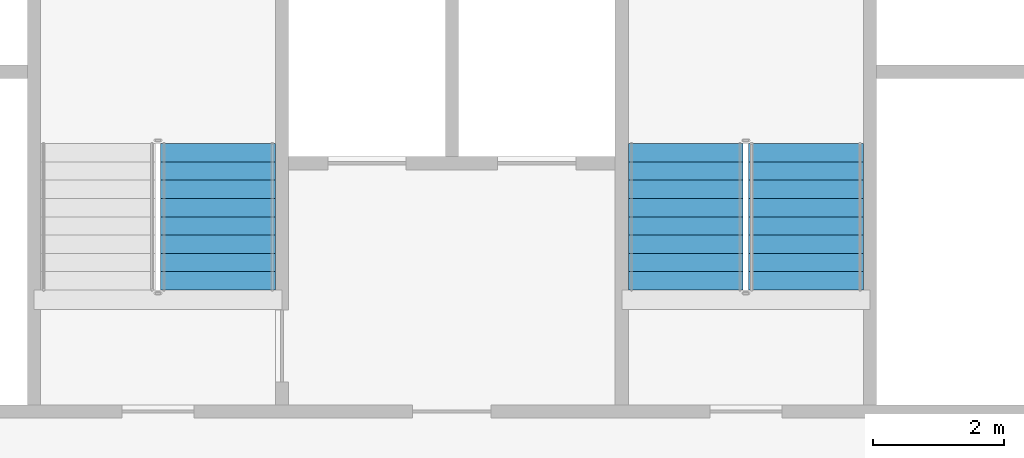
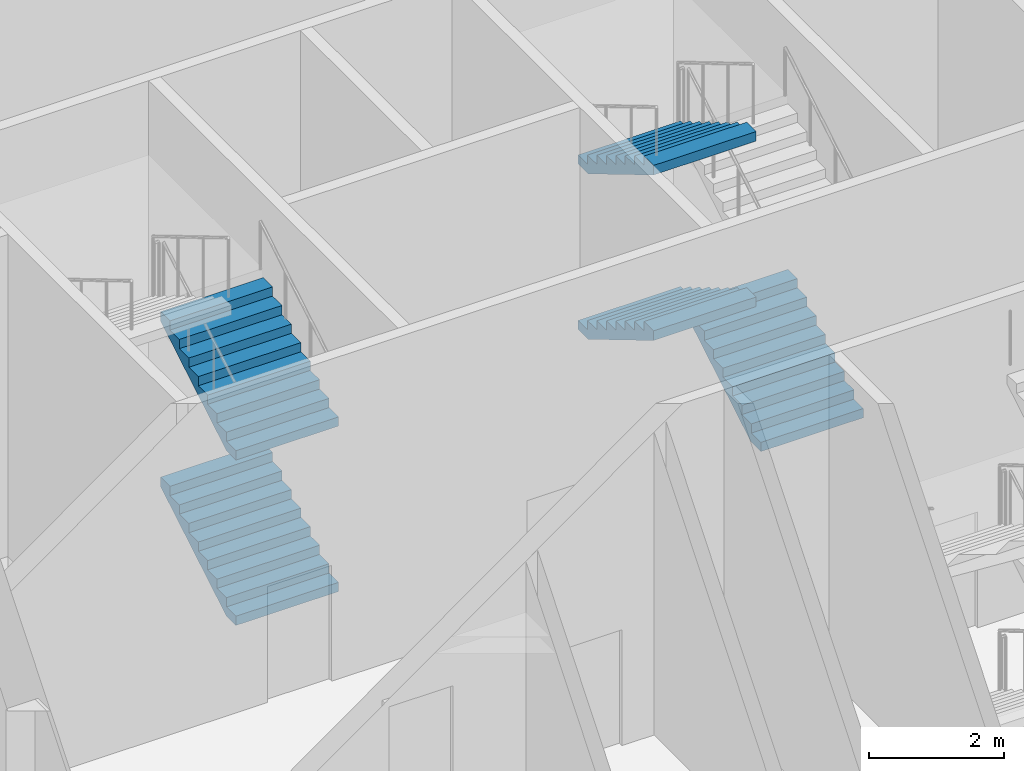
# One storey, part 26 of 33: 5 stair flights, 2 elements without a shape of their own.
"""IFC4 building model written with IfcOpenShell, lengths in metres."""

import ifcopenshell
import ifcopenshell.guid

model = None  # the IFC model being written
_history = None  # IfcOwnerHistory: only IFC2X3 demands one
_inside = {}  # id of a spatial element -> (the spatial element, [elements in it])
_under = {}  # id of a project, library or spatial element -> (it, [spatial elements below it])
_declared = {}  # id of a project -> (the project, [libraries it declares])
_typed = {}  # id of a type object -> (the type object, [elements of that type])
_made_of = {}  # id of a material, layer set ... -> (it, [elements and type objects made of it])


def new_model(schema):
    """Start an empty IFC model of exactly this schema.

    Asked for "IFC4X3", IfcOpenShell would pick the latest addendum, in which some entities
    have other attributes; the version numbers below select the first issue.
    IFC2X3 requires an IfcOwnerHistory on every rooted entity: one is made here for all.
    """
    global model, _history
    if schema == "IFC4X3":
        model = ifcopenshell.file(schema_version=(4, 3, 0, 0))
    else:
        model = ifcopenshell.file(schema=schema)
    _inside.clear()
    _under.clear()
    _declared.clear()
    _typed.clear()
    _made_of.clear()
    _history = None
    if model.schema == "IFC2X3":
        org = make("IfcOrganization", Name="unknown")
        user = make(
            "IfcPersonAndOrganization",
            ThePerson=make("IfcPerson", FamilyName="unknown"),
            TheOrganization=org,
        )
        app = make(
            "IfcApplication",
            ApplicationDeveloper=org,
            Version="unknown",
            ApplicationFullName="unknown",
            ApplicationIdentifier="unknown",
        )
        _history = make(
            "IfcOwnerHistory",
            OwningUser=user,
            OwningApplication=app,
            ChangeAction="ADDED",
            CreationDate=0,
        )
    return model


def make(cls, **values):
    """One entity of the class cls with the attributes given. An attribute that is None is left unset."""
    return model.create_entity(
        cls, **{name: value for name, value in values.items() if value is not None}
    )


def rooted(cls, **values):
    """An entity with a GlobalId (a new one), such as an element, a storey or a relation."""
    return make(cls, GlobalId=ifcopenshell.guid.new(), OwnerHistory=_history, **values)


def si_unit(unit_type, name, prefix=None):
    """IfcSIUnit, for example si_unit("LENGTHUNIT", "METRE", prefix="MILLI")."""
    return make("IfcSIUnit", UnitType=unit_type, Prefix=prefix, Name=name)


def assignment(units):
    """IfcUnitAssignment: the units of a project."""
    return None if units is None else make("IfcUnitAssignment", Units=units)


def point(xyz):
    """IfcCartesianPoint."""
    return None if xyz is None else make("IfcCartesianPoint", Coordinates=xyz)


def direction(xyz):
    """IfcDirection."""
    return None if xyz is None else make("IfcDirection", DirectionRatios=xyz)


def frame(location, z_axis=None, x_axis=None):
    """IfcAxis2Placement3D, a coordinate frame: its origin and axes. An axis left out is left unset."""
    return make(
        "IfcAxis2Placement3D",
        Location=point(location),
        Axis=direction(z_axis),
        RefDirection=direction(x_axis),
    )


def origin():
    """The frame at (0, 0, 0) with its axes left unset."""
    return frame((0.0, 0.0, 0.0))


def place(relative_to, where):
    """IfcLocalPlacement: puts the frame where relative to a parent placement (None: the world)."""
    return make(
        "IfcLocalPlacement", PlacementRelTo=relative_to, RelativePlacement=where
    )


def context(
    kind, dimensions, precision=None, world=None, true_north=None, identifier=None
):
    """IfcGeometricRepresentationContext, for example the 3D "Model" context."""
    return make(
        "IfcGeometricRepresentationContext",
        ContextIdentifier=identifier,
        ContextType=kind,
        CoordinateSpaceDimension=dimensions,
        Precision=precision,
        WorldCoordinateSystem=world,
        TrueNorth=true_north,
    )


def subcontext(parent, identifier, kind, view, scale=None):
    """IfcGeometricRepresentationSubContext, for example "Body" below "Model"."""
    return make(
        "IfcGeometricRepresentationSubContext",
        ContextIdentifier=identifier,
        ContextType=kind,
        ParentContext=parent,
        TargetScale=scale,
        TargetView=view,
    )


def project(units=None, contexts=None):
    """IfcProject with its units and contexts."""
    return rooted(
        "IfcProject",
        Name="project",
        RepresentationContexts=contexts,
        UnitsInContext=assignment(units),
    )


def spatial(cls, under=None, at=None, **own):
    """A site, building, storey or space (cls), placed at a placement, below another one or the project."""
    s = rooted(cls, ObjectPlacement=at, **own)
    if under is not None:
        _under.setdefault(under.id(), (under, []))[1].append(s)
    return s


def faces_of(points, faces, orient=None, outer=None):
    """IfcFace entities. A face is a list of loops; a loop is a list of indices into points, from 0.

    orient and outer hold one flag for each loop. By default every Orientation is true, the
    first loop of a face is its IfcFaceOuterBound and the others are IfcFaceBound.
    """
    made = []
    for i, loops in enumerate(faces):
        bounds = []
        for j, loop in enumerate(loops):
            is_outer = j == 0 if outer is None else outer[i][j]
            bounds.append(
                make(
                    "IfcFaceOuterBound" if is_outer else "IfcFaceBound",
                    Bound=make("IfcPolyLoop", Polygon=[points[k] for k in loop]),
                    Orientation=True if orient is None else orient[i][j],
                )
            )
        made.append(make("IfcFace", Bounds=bounds))
    return made


def faceted_brep(points, faces, orient=None, outer=None, voids=None):
    """IfcFacetedBrep: a solid bounded by flat faces; with voids (closed shells), ...WithVoids."""
    shared = [point(p) for p in points]
    hull = make("IfcClosedShell", CfsFaces=faces_of(shared, faces, orient, outer))
    if voids is None:
        return make("IfcFacetedBrep", Outer=hull)
    return make(
        "IfcFacetedBrepWithVoids",
        Outer=hull,
        Voids=[
            make(cls, CfsFaces=faces_of(shared, fs, o, b)) for cls, fs, o, b in voids
        ],
    )


def shape(context_of_items, identifier, shape_type, items):
    """IfcShapeRepresentation: the items that make up one representation, for example the "Body"."""
    return make(
        "IfcShapeRepresentation",
        ContextOfItems=context_of_items,
        RepresentationIdentifier=identifier,
        RepresentationType=shape_type,
        Items=items,
    )


def material(Name=None, Category=None):
    """IfcMaterial."""
    return make("IfcMaterial", Name=Name, Category=Category)


def made_of(thing, what):
    """Note that an element or type object is made of a material, layer set ...; save() writes the relation."""
    if what is not None:
        _made_of.setdefault(what.id(), (what, []))[1].append(thing)
    return thing


def type_object(cls, material=None, **own):
    """A type object (cls), such as IfcWallType, which elements share."""
    return made_of(rooted(cls, **own), material)


def element(
    cls,
    number,
    at=None,
    inside=None,
    cuts=None,
    type_object=None,
    material=None,
    context=None,
    identifier="Body",
    shape_type=None,
    held_by="IfcProductDefinitionShape",
    body=None,
    shapes=None,
    **own,
):
    """One element of the class cls, such as IfcWall. Its Tag is "e" and its number.

    at: its placement. inside: the storey or other place that contains it. cuts: it is an
    opening in that element (IfcRelVoidsElement). A single representation is given by context,
    identifier, shape_type and body (its items); several are given by shapes. held_by: the class
    of the entity that holds the representations. save() writes the other relations.
    """
    e = rooted(cls, Tag="e%d" % number, ObjectPlacement=at, **own)
    if body is not None:
        shapes = [shape(context, identifier, shape_type, body)]
    if shapes is not None:
        e.Representation = make(held_by, Representations=shapes)
    if inside is not None:
        _inside.setdefault(inside.id(), (inside, []))[1].append(e)
    if cuts is not None:
        rooted(
            "IfcRelVoidsElement", RelatingBuildingElement=cuts, RelatedOpeningElement=e
        )
    if type_object is not None:
        _typed.setdefault(type_object.id(), (type_object, []))[1].append(e)
    return made_of(e, material)


def aggregate(whole, parts):
    """IfcRelAggregates: a whole, such as a stair, and the parts it consists of."""
    return rooted("IfcRelAggregates", RelatingObject=whole, RelatedObjects=parts)


def save(model, path):
    """Write the relations noted so far, then the file.

    IfcRelAggregates (storeys below a building ...), IfcRelContainedInSpatialStructure (elements
    in a storey), IfcRelDefinesByType, IfcRelAssociatesMaterial and IfcRelDeclares: one each for
    every whole, place, type object, material and project.
    """
    for whole, parts in _under.values():
        aggregate(whole, parts)
    for where, things in _inside.values():
        rooted(
            "IfcRelContainedInSpatialStructure",
            RelatedElements=things,
            RelatingStructure=where,
        )
    for kind, things in _typed.values():
        rooted("IfcRelDefinesByType", RelatedObjects=things, RelatingType=kind)
    for what, things in _made_of.values():
        rooted("IfcRelAssociatesMaterial", RelatedObjects=things, RelatingMaterial=what)
    for by, libraries in _declared.values():
        rooted("IfcRelDeclares", RelatingContext=by, RelatedDefinitions=libraries)
    model.write(path)


model = new_model("IFC4")

# Units and contexts
model_context = context("Model", 3, precision=1e-05, world=origin(), true_north=direction((0.0, 1.0)))
body_context = subcontext(model_context, "Body", "Model", "MODEL_VIEW")
ifc_project = project(units=[si_unit("LENGTHUNIT", "METRE"), si_unit("AREAUNIT", "SQUARE_METRE"), si_unit("VOLUMEUNIT", "CUBIC_METRE"), si_unit("PLANEANGLEUNIT", "RADIAN"), si_unit("MASSUNIT", "GRAM", prefix="KILO")], contexts=[model_context])

# Site, building, storey
site_placement = place(None, origin())
site = spatial("IfcSite", under=ifc_project, at=site_placement, CompositionType="ELEMENT")
building_placement = place(site_placement, origin())
building = spatial("IfcBuilding", under=site, at=building_placement, Name="Tarsis Ring Headquarters", CompositionType="ELEMENT")
storey_placement = place(building_placement, frame((0.0, 0.0, 302.0)))
storey = spatial("IfcBuildingStorey", under=building, at=storey_placement, Name="L71", CompositionType="ELEMENT", Elevation=302.0)

# Stair, stair flights
ifc_material_1 = material(Name="Core stair 1760")
stair_type = type_object("IfcStairType", Name="Core stair 1760", PredefinedType="HALF_TURN_STAIR", material=ifc_material_1)
stair_1_placement = place(storey_placement, origin())
stair_1 = element("IfcStair", 1, at=stair_1_placement, inside=storey, type_object=stair_type, Name="L71 Firefighting stair", PredefinedType="HALF_TURN_STAIR")
ifc_material_2 = material(Name="Concrete C40/50", Category="concrete")
stair_flight_type = type_object("IfcStairFlightType", Name="Core stair flight 1760", PredefinedType="STRAIGHT", material=ifc_material_2)
stair_flight_1_placement = place(storey_placement, frame((-3.580078125, 3.659912109375, 0.0), z_axis=(0.0, 0.0, 1.0), x_axis=(0.0, 1.0, 0.0)))
stair_flight_1 = element("IfcStairFlight", 2, at=stair_flight_1_placement, type_object=stair_flight_type, Name="Stair ST1 flight 1", NumberOfRisers=9, NumberOfTreads=8, PredefinedType="STRAIGHT", RiserHeight=0.166666667, TreadLength=0.28, context=body_context, shape_type="Brep", body=[
    faceted_brep([(0.0, 0.8798828125, 0.0), (0.0, 0.8798828125, 0.166748046875), (0.280029296875, 0.8798828125, 0.166748046875), (0.280029296875, 0.8798828125, 0.333251953125), (0.56005859375, 0.8798828125, 0.333251953125), (0.56005859375, 0.8798828125, 0.5), (0.840087890625, 0.8798828125, 0.5), (0.840087890625, 0.8798828125, 0.666748046875), (1.1201171875, 0.8798828125, 0.666748046875), (1.1201171875, 0.8798828125, 0.833251953125), (1.39990234375, 0.8798828125, 0.833251953125), (1.39990234375, 0.8798828125, 1.0), (1.679931640625, 0.8798828125, 1.0), (1.679931640625, 0.8798828125, 1.166748046875), (1.9599609375, 0.8798828125, 1.166748046875), (1.9599609375, 0.8798828125, 1.333251953125), (2.239990234375, 0.8798828125, 1.333251953125), (2.239990234375, 0.8798828125, 1.158935546875), (0.29296875, 0.8798828125, 0.0), (0.29296875, -0.8798828125, 0.0), (2.239990234375, -0.8798828125, 1.158935546875), (2.239990234375, -0.8798828125, 1.333251953125), (1.9599609375, -0.8798828125, 1.333251953125), (1.9599609375, -0.8798828125, 1.166748046875), (1.679931640625, -0.8798828125, 1.166748046875), (1.679931640625, -0.8798828125, 1.0), (1.39990234375, -0.8798828125, 1.0), (1.39990234375, -0.8798828125, 0.833251953125), (1.1201171875, -0.8798828125, 0.833251953125), (1.1201171875, -0.8798828125, 0.666748046875), (0.840087890625, -0.8798828125, 0.666748046875), (0.840087890625, -0.8798828125, 0.5), (0.56005859375, -0.8798828125, 0.5), (0.56005859375, -0.8798828125, 0.333251953125), (0.280029296875, -0.8798828125, 0.333251953125), (0.280029296875, -0.8798828125, 0.166748046875), (0.0, -0.8798828125, 0.166748046875), (0.0, -0.8798828125, 0.0), (0.0, -0.43994140625, 0.166748046875), (0.0, -0.43994140625, 0.0), (0.0, 0.0, 0.166748046875), (0.0, 0.0, 0.0), (0.0, 0.43994140625, 0.166748046875), (0.0, 0.43994140625, 0.0), (0.280029296875, -0.43994140625, 0.166748046875), (0.280029296875, 0.0, 0.166748046875), (0.280029296875, 0.43994140625, 0.166748046875), (0.280029296875, -0.43994140625, 0.333251953125), (0.280029296875, 0.0, 0.333251953125), (0.280029296875, 0.43994140625, 0.333251953125), (0.56005859375, -0.43994140625, 0.333251953125), (0.56005859375, 0.0, 0.333251953125), (0.56005859375, 0.43994140625, 0.333251953125), (0.56005859375, -0.43994140625, 0.5), (0.56005859375, 0.0, 0.5), (0.56005859375, 0.43994140625, 0.5), (0.840087890625, -0.43994140625, 0.5), (0.840087890625, 0.0, 0.5), (0.840087890625, 0.43994140625, 0.5), (0.840087890625, -0.43994140625, 0.666748046875), (0.840087890625, 0.0, 0.666748046875), (0.840087890625, 0.43994140625, 0.666748046875), (1.1201171875, -0.43994140625, 0.666748046875), (1.1201171875, 0.0, 0.666748046875), (1.1201171875, 0.43994140625, 0.666748046875), (1.1201171875, -0.43994140625, 0.833251953125), (1.1201171875, 0.0, 0.833251953125), (1.1201171875, 0.43994140625, 0.833251953125), (1.39990234375, -0.43994140625, 0.833251953125), (1.39990234375, 0.0, 0.833251953125), (1.39990234375, 0.43994140625, 0.833251953125), (1.39990234375, -0.43994140625, 1.0), (1.39990234375, 0.0, 1.0), (1.39990234375, 0.43994140625, 1.0), (1.679931640625, -0.43994140625, 1.0), (1.679931640625, 0.0, 1.0), (1.679931640625, 0.43994140625, 1.0), (1.679931640625, -0.43994140625, 1.166748046875), (1.679931640625, 0.0, 1.166748046875), (1.679931640625, 0.43994140625, 1.166748046875), (1.9599609375, -0.43994140625, 1.166748046875), (1.9599609375, 0.0, 1.166748046875), (1.9599609375, 0.43994140625, 1.166748046875), (1.9599609375, -0.43994140625, 1.333251953125), (1.9599609375, 0.0, 1.333251953125), (1.9599609375, 0.43994140625, 1.333251953125), (2.239990234375, -0.43994140625, 1.333251953125), (2.239990234375, 0.0, 1.333251953125), (2.239990234375, 0.43994140625, 1.333251953125), (2.239990234375, -0.43994140625, 1.158935546875), (2.239990234375, 0.0, 1.158935546875), (2.239990234375, 0.43994140625, 1.158935546875), (0.29296875, -0.43994140625, 0.0), (0.29296875, 0.0, 0.0), (0.29296875, 0.43994140625, 0.0)], [[[0, 1, 2, 3, 4, 5, 6, 7, 8, 9, 10, 11, 12, 13, 14, 15, 16, 17, 18]], [[19, 20, 21, 22, 23, 24, 25, 26, 27, 28, 29, 30, 31, 32, 33, 34, 35, 36, 37]], [[37, 36, 38, 39]], [[39, 38, 40, 41]], [[41, 40, 42, 43]], [[43, 42, 1, 0]], [[36, 35, 44, 38]], [[38, 44, 45, 40]], [[40, 45, 46, 42]], [[42, 46, 2, 1]], [[35, 34, 47, 44]], [[44, 47, 48, 45]], [[45, 48, 49, 46]], [[46, 49, 3, 2]], [[34, 33, 50, 47]], [[47, 50, 51, 48]], [[48, 51, 52, 49]], [[49, 52, 4, 3]], [[33, 32, 53, 50]], [[50, 53, 54, 51]], [[51, 54, 55, 52]], [[52, 55, 5, 4]], [[32, 31, 56, 53]], [[53, 56, 57, 54]], [[54, 57, 58, 55]], [[55, 58, 6, 5]], [[31, 30, 59, 56]], [[56, 59, 60, 57]], [[57, 60, 61, 58]], [[58, 61, 7, 6]], [[30, 29, 62, 59]], [[59, 62, 63, 60]], [[60, 63, 64, 61]], [[61, 64, 8, 7]], [[29, 28, 65, 62]], [[62, 65, 66, 63]], [[63, 66, 67, 64]], [[64, 67, 9, 8]], [[28, 27, 68, 65]], [[65, 68, 69, 66]], [[66, 69, 70, 67]], [[67, 70, 10, 9]], [[27, 26, 71, 68]], [[68, 71, 72, 69]], [[69, 72, 73, 70]], [[70, 73, 11, 10]], [[26, 25, 74, 71]], [[71, 74, 75, 72]], [[72, 75, 76, 73]], [[73, 76, 12, 11]], [[25, 24, 77, 74]], [[74, 77, 78, 75]], [[75, 78, 79, 76]], [[76, 79, 13, 12]], [[24, 23, 80, 77]], [[77, 80, 81, 78]], [[78, 81, 82, 79]], [[79, 82, 14, 13]], [[23, 22, 83, 80]], [[80, 83, 84, 81]], [[81, 84, 85, 82]], [[82, 85, 15, 14]], [[22, 21, 86, 83]], [[83, 86, 87, 84]], [[84, 87, 88, 85]], [[85, 88, 16, 15]], [[21, 20, 89, 86]], [[86, 89, 90, 87]], [[87, 90, 91, 88]], [[88, 91, 17, 16]], [[20, 19, 92, 89]], [[89, 92, 93, 90]], [[90, 93, 94, 91]], [[91, 94, 18, 17]], [[19, 37, 39, 92]], [[92, 39, 41, 93]], [[93, 41, 43, 94]], [[94, 43, 0, 18]]]),
])
stair_flight_2_placement = place(storey_placement, frame((-3.580078125, 3.659912109375, 3.0), z_axis=(0.0, 0.0, 1.0), x_axis=(0.0, 1.0, 0.0)))
stair_flight_2 = element("IfcStairFlight", 3, at=stair_flight_2_placement, type_object=stair_flight_type, Name="Stair ST1 flight 3", NumberOfRisers=9, NumberOfTreads=8, PredefinedType="STRAIGHT", RiserHeight=0.166666667, TreadLength=0.28, context=body_context, shape_type="Brep", body=[
    faceted_brep([(0.0, 0.8798828125, 0.0), (0.0, 0.8798828125, 0.166748046875), (0.280029296875, 0.8798828125, 0.166748046875), (0.280029296875, 0.8798828125, 0.333251953125), (0.56005859375, 0.8798828125, 0.333251953125), (0.56005859375, 0.8798828125, 0.5), (0.840087890625, 0.8798828125, 0.5), (0.840087890625, 0.8798828125, 0.666748046875), (1.1201171875, 0.8798828125, 0.666748046875), (1.1201171875, 0.8798828125, 0.833251953125), (1.39990234375, 0.8798828125, 0.833251953125), (1.39990234375, 0.8798828125, 1.0), (1.679931640625, 0.8798828125, 1.0), (1.679931640625, 0.8798828125, 1.166748046875), (1.9599609375, 0.8798828125, 1.166748046875), (1.9599609375, 0.8798828125, 1.333251953125), (2.239990234375, 0.8798828125, 1.333251953125), (2.239990234375, 0.8798828125, 1.158935546875), (0.29296875, 0.8798828125, 0.0), (0.29296875, -0.8798828125, 0.0), (2.239990234375, -0.8798828125, 1.158935546875), (2.239990234375, -0.8798828125, 1.333251953125), (1.9599609375, -0.8798828125, 1.333251953125), (1.9599609375, -0.8798828125, 1.166748046875), (1.679931640625, -0.8798828125, 1.166748046875), (1.679931640625, -0.8798828125, 1.0), (1.39990234375, -0.8798828125, 1.0), (1.39990234375, -0.8798828125, 0.833251953125), (1.1201171875, -0.8798828125, 0.833251953125), (1.1201171875, -0.8798828125, 0.666748046875), (0.840087890625, -0.8798828125, 0.666748046875), (0.840087890625, -0.8798828125, 0.5), (0.56005859375, -0.8798828125, 0.5), (0.56005859375, -0.8798828125, 0.333251953125), (0.280029296875, -0.8798828125, 0.333251953125), (0.280029296875, -0.8798828125, 0.166748046875), (0.0, -0.8798828125, 0.166748046875), (0.0, -0.8798828125, 0.0), (0.0, -0.43994140625, 0.166748046875), (0.0, -0.43994140625, 0.0), (0.0, 0.0, 0.166748046875), (0.0, 0.0, 0.0), (0.0, 0.43994140625, 0.166748046875), (0.0, 0.43994140625, 0.0), (0.280029296875, -0.43994140625, 0.166748046875), (0.280029296875, 0.0, 0.166748046875), (0.280029296875, 0.43994140625, 0.166748046875), (0.280029296875, -0.43994140625, 0.333251953125), (0.280029296875, 0.0, 0.333251953125), (0.280029296875, 0.43994140625, 0.333251953125), (0.56005859375, -0.43994140625, 0.333251953125), (0.56005859375, 0.0, 0.333251953125), (0.56005859375, 0.43994140625, 0.333251953125), (0.56005859375, -0.43994140625, 0.5), (0.56005859375, 0.0, 0.5), (0.56005859375, 0.43994140625, 0.5), (0.840087890625, -0.43994140625, 0.5), (0.840087890625, 0.0, 0.5), (0.840087890625, 0.43994140625, 0.5), (0.840087890625, -0.43994140625, 0.666748046875), (0.840087890625, 0.0, 0.666748046875), (0.840087890625, 0.43994140625, 0.666748046875), (1.1201171875, -0.43994140625, 0.666748046875), (1.1201171875, 0.0, 0.666748046875), (1.1201171875, 0.43994140625, 0.666748046875), (1.1201171875, -0.43994140625, 0.833251953125), (1.1201171875, 0.0, 0.833251953125), (1.1201171875, 0.43994140625, 0.833251953125), (1.39990234375, -0.43994140625, 0.833251953125), (1.39990234375, 0.0, 0.833251953125), (1.39990234375, 0.43994140625, 0.833251953125), (1.39990234375, -0.43994140625, 1.0), (1.39990234375, 0.0, 1.0), (1.39990234375, 0.43994140625, 1.0), (1.679931640625, -0.43994140625, 1.0), (1.679931640625, 0.0, 1.0), (1.679931640625, 0.43994140625, 1.0), (1.679931640625, -0.43994140625, 1.166748046875), (1.679931640625, 0.0, 1.166748046875), (1.679931640625, 0.43994140625, 1.166748046875), (1.9599609375, -0.43994140625, 1.166748046875), (1.9599609375, 0.0, 1.166748046875), (1.9599609375, 0.43994140625, 1.166748046875), (1.9599609375, -0.43994140625, 1.333251953125), (1.9599609375, 0.0, 1.333251953125), (1.9599609375, 0.43994140625, 1.333251953125), (2.239990234375, -0.43994140625, 1.333251953125), (2.239990234375, 0.0, 1.333251953125), (2.239990234375, 0.43994140625, 1.333251953125), (2.239990234375, -0.43994140625, 1.158935546875), (2.239990234375, 0.0, 1.158935546875), (2.239990234375, 0.43994140625, 1.158935546875), (0.29296875, -0.43994140625, 0.0), (0.29296875, 0.0, 0.0), (0.29296875, 0.43994140625, 0.0)], [[[0, 1, 2, 3, 4, 5, 6, 7, 8, 9, 10, 11, 12, 13, 14, 15, 16, 17, 18]], [[19, 20, 21, 22, 23, 24, 25, 26, 27, 28, 29, 30, 31, 32, 33, 34, 35, 36, 37]], [[37, 36, 38, 39]], [[39, 38, 40, 41]], [[41, 40, 42, 43]], [[43, 42, 1, 0]], [[36, 35, 44, 38]], [[38, 44, 45, 40]], [[40, 45, 46, 42]], [[42, 46, 2, 1]], [[35, 34, 47, 44]], [[44, 47, 48, 45]], [[45, 48, 49, 46]], [[46, 49, 3, 2]], [[34, 33, 50, 47]], [[47, 50, 51, 48]], [[48, 51, 52, 49]], [[49, 52, 4, 3]], [[33, 32, 53, 50]], [[50, 53, 54, 51]], [[51, 54, 55, 52]], [[52, 55, 5, 4]], [[32, 31, 56, 53]], [[53, 56, 57, 54]], [[54, 57, 58, 55]], [[55, 58, 6, 5]], [[31, 30, 59, 56]], [[56, 59, 60, 57]], [[57, 60, 61, 58]], [[58, 61, 7, 6]], [[30, 29, 62, 59]], [[59, 62, 63, 60]], [[60, 63, 64, 61]], [[61, 64, 8, 7]], [[29, 28, 65, 62]], [[62, 65, 66, 63]], [[63, 66, 67, 64]], [[64, 67, 9, 8]], [[28, 27, 68, 65]], [[65, 68, 69, 66]], [[66, 69, 70, 67]], [[67, 70, 10, 9]], [[27, 26, 71, 68]], [[68, 71, 72, 69]], [[69, 72, 73, 70]], [[70, 73, 11, 10]], [[26, 25, 74, 71]], [[71, 74, 75, 72]], [[72, 75, 76, 73]], [[73, 76, 12, 11]], [[25, 24, 77, 74]], [[74, 77, 78, 75]], [[75, 78, 79, 76]], [[76, 79, 13, 12]], [[24, 23, 80, 77]], [[77, 80, 81, 78]], [[78, 81, 82, 79]], [[79, 82, 14, 13]], [[23, 22, 83, 80]], [[80, 83, 84, 81]], [[81, 84, 85, 82]], [[82, 85, 15, 14]], [[22, 21, 86, 83]], [[83, 86, 87, 84]], [[84, 87, 88, 85]], [[85, 88, 16, 15]], [[21, 20, 89, 86]], [[86, 89, 90, 87]], [[87, 90, 91, 88]], [[88, 91, 17, 16]], [[20, 19, 92, 89]], [[89, 92, 93, 90]], [[90, 93, 94, 91]], [[91, 94, 18, 17]], [[19, 37, 39, 92]], [[92, 39, 41, 93]], [[93, 41, 43, 94]], [[94, 43, 0, 18]]]),
])
aggregate(stair_1, [stair_flight_1, stair_flight_2])

stair_2_placement = place(storey_placement, origin())
stair_2 = element("IfcStair", 4, at=stair_2_placement, inside=storey, type_object=stair_type, Name="L71 Exit stair B", PredefinedType="HALF_TURN_STAIR")
stair_flight_3_placement = place(storey_placement, frame((5.419921875, 3.659912109375, 0.0), z_axis=(0.0, 0.0, 1.0), x_axis=(0.0, 1.0, 0.0)))
stair_flight_3 = element("IfcStairFlight", 5, at=stair_flight_3_placement, type_object=stair_flight_type, Name="Stair ST2 flight 1", NumberOfRisers=9, NumberOfTreads=8, PredefinedType="STRAIGHT", RiserHeight=0.166666667, TreadLength=0.28, context=body_context, shape_type="Brep", body=[
    faceted_brep([(0.0, 0.8798828125, 0.0), (0.0, 0.8798828125, 0.166748046875), (0.280029296875, 0.8798828125, 0.166748046875), (0.280029296875, 0.8798828125, 0.333251953125), (0.56005859375, 0.8798828125, 0.333251953125), (0.56005859375, 0.8798828125, 0.5), (0.840087890625, 0.8798828125, 0.5), (0.840087890625, 0.8798828125, 0.666748046875), (1.1201171875, 0.8798828125, 0.666748046875), (1.1201171875, 0.8798828125, 0.833251953125), (1.39990234375, 0.8798828125, 0.833251953125), (1.39990234375, 0.8798828125, 1.0), (1.679931640625, 0.8798828125, 1.0), (1.679931640625, 0.8798828125, 1.166748046875), (1.9599609375, 0.8798828125, 1.166748046875), (1.9599609375, 0.8798828125, 1.333251953125), (2.239990234375, 0.8798828125, 1.333251953125), (2.239990234375, 0.8798828125, 1.158935546875), (0.29296875, 0.8798828125, 0.0), (0.29296875, -0.8798828125, 0.0), (2.239990234375, -0.8798828125, 1.158935546875), (2.239990234375, -0.8798828125, 1.333251953125), (1.9599609375, -0.8798828125, 1.333251953125), (1.9599609375, -0.8798828125, 1.166748046875), (1.679931640625, -0.8798828125, 1.166748046875), (1.679931640625, -0.8798828125, 1.0), (1.39990234375, -0.8798828125, 1.0), (1.39990234375, -0.8798828125, 0.833251953125), (1.1201171875, -0.8798828125, 0.833251953125), (1.1201171875, -0.8798828125, 0.666748046875), (0.840087890625, -0.8798828125, 0.666748046875), (0.840087890625, -0.8798828125, 0.5), (0.56005859375, -0.8798828125, 0.5), (0.56005859375, -0.8798828125, 0.333251953125), (0.280029296875, -0.8798828125, 0.333251953125), (0.280029296875, -0.8798828125, 0.166748046875), (0.0, -0.8798828125, 0.166748046875), (0.0, -0.8798828125, 0.0), (0.0, -0.43994140625, 0.166748046875), (0.0, -0.43994140625, 0.0), (0.0, 0.0, 0.166748046875), (0.0, 0.0, 0.0), (0.0, 0.43994140625, 0.166748046875), (0.0, 0.43994140625, 0.0), (0.280029296875, -0.43994140625, 0.166748046875), (0.280029296875, 0.0, 0.166748046875), (0.280029296875, 0.43994140625, 0.166748046875), (0.280029296875, -0.43994140625, 0.333251953125), (0.280029296875, 0.0, 0.333251953125), (0.280029296875, 0.43994140625, 0.333251953125), (0.56005859375, -0.43994140625, 0.333251953125), (0.56005859375, 0.0, 0.333251953125), (0.56005859375, 0.43994140625, 0.333251953125), (0.56005859375, -0.43994140625, 0.5), (0.56005859375, 0.0, 0.5), (0.56005859375, 0.43994140625, 0.5), (0.840087890625, -0.43994140625, 0.5), (0.840087890625, 0.0, 0.5), (0.840087890625, 0.43994140625, 0.5), (0.840087890625, -0.43994140625, 0.666748046875), (0.840087890625, 0.0, 0.666748046875), (0.840087890625, 0.43994140625, 0.666748046875), (1.1201171875, -0.43994140625, 0.666748046875), (1.1201171875, 0.0, 0.666748046875), (1.1201171875, 0.43994140625, 0.666748046875), (1.1201171875, -0.43994140625, 0.833251953125), (1.1201171875, 0.0, 0.833251953125), (1.1201171875, 0.43994140625, 0.833251953125), (1.39990234375, -0.43994140625, 0.833251953125), (1.39990234375, 0.0, 0.833251953125), (1.39990234375, 0.43994140625, 0.833251953125), (1.39990234375, -0.43994140625, 1.0), (1.39990234375, 0.0, 1.0), (1.39990234375, 0.43994140625, 1.0), (1.679931640625, -0.43994140625, 1.0), (1.679931640625, 0.0, 1.0), (1.679931640625, 0.43994140625, 1.0), (1.679931640625, -0.43994140625, 1.166748046875), (1.679931640625, 0.0, 1.166748046875), (1.679931640625, 0.43994140625, 1.166748046875), (1.9599609375, -0.43994140625, 1.166748046875), (1.9599609375, 0.0, 1.166748046875), (1.9599609375, 0.43994140625, 1.166748046875), (1.9599609375, -0.43994140625, 1.333251953125), (1.9599609375, 0.0, 1.333251953125), (1.9599609375, 0.43994140625, 1.333251953125), (2.239990234375, -0.43994140625, 1.333251953125), (2.239990234375, 0.0, 1.333251953125), (2.239990234375, 0.43994140625, 1.333251953125), (2.239990234375, -0.43994140625, 1.158935546875), (2.239990234375, 0.0, 1.158935546875), (2.239990234375, 0.43994140625, 1.158935546875), (0.29296875, -0.43994140625, 0.0), (0.29296875, 0.0, 0.0), (0.29296875, 0.43994140625, 0.0)], [[[0, 1, 2, 3, 4, 5, 6, 7, 8, 9, 10, 11, 12, 13, 14, 15, 16, 17, 18]], [[19, 20, 21, 22, 23, 24, 25, 26, 27, 28, 29, 30, 31, 32, 33, 34, 35, 36, 37]], [[37, 36, 38, 39]], [[39, 38, 40, 41]], [[41, 40, 42, 43]], [[43, 42, 1, 0]], [[36, 35, 44, 38]], [[38, 44, 45, 40]], [[40, 45, 46, 42]], [[42, 46, 2, 1]], [[35, 34, 47, 44]], [[44, 47, 48, 45]], [[45, 48, 49, 46]], [[46, 49, 3, 2]], [[34, 33, 50, 47]], [[47, 50, 51, 48]], [[48, 51, 52, 49]], [[49, 52, 4, 3]], [[33, 32, 53, 50]], [[50, 53, 54, 51]], [[51, 54, 55, 52]], [[52, 55, 5, 4]], [[32, 31, 56, 53]], [[53, 56, 57, 54]], [[54, 57, 58, 55]], [[55, 58, 6, 5]], [[31, 30, 59, 56]], [[56, 59, 60, 57]], [[57, 60, 61, 58]], [[58, 61, 7, 6]], [[30, 29, 62, 59]], [[59, 62, 63, 60]], [[60, 63, 64, 61]], [[61, 64, 8, 7]], [[29, 28, 65, 62]], [[62, 65, 66, 63]], [[63, 66, 67, 64]], [[64, 67, 9, 8]], [[28, 27, 68, 65]], [[65, 68, 69, 66]], [[66, 69, 70, 67]], [[67, 70, 10, 9]], [[27, 26, 71, 68]], [[68, 71, 72, 69]], [[69, 72, 73, 70]], [[70, 73, 11, 10]], [[26, 25, 74, 71]], [[71, 74, 75, 72]], [[72, 75, 76, 73]], [[73, 76, 12, 11]], [[25, 24, 77, 74]], [[74, 77, 78, 75]], [[75, 78, 79, 76]], [[76, 79, 13, 12]], [[24, 23, 80, 77]], [[77, 80, 81, 78]], [[78, 81, 82, 79]], [[79, 82, 14, 13]], [[23, 22, 83, 80]], [[80, 83, 84, 81]], [[81, 84, 85, 82]], [[82, 85, 15, 14]], [[22, 21, 86, 83]], [[83, 86, 87, 84]], [[84, 87, 88, 85]], [[85, 88, 16, 15]], [[21, 20, 89, 86]], [[86, 89, 90, 87]], [[87, 90, 91, 88]], [[88, 91, 17, 16]], [[20, 19, 92, 89]], [[89, 92, 93, 90]], [[90, 93, 94, 91]], [[91, 94, 18, 17]], [[19, 37, 39, 92]], [[92, 39, 41, 93]], [[93, 41, 43, 94]], [[94, 43, 0, 18]]]),
])
stair_flight_4_placement = place(storey_placement, frame((3.580078125, 5.89990234375, 1.5), z_axis=(0.0, 0.0, 1.0), x_axis=(0.0, -1.0, 0.0)))
stair_flight_4 = element("IfcStairFlight", 6, at=stair_flight_4_placement, type_object=stair_flight_type, Name="Stair ST2 flight 2", NumberOfRisers=9, NumberOfTreads=8, PredefinedType="STRAIGHT", RiserHeight=0.166666667, TreadLength=0.28, context=body_context, shape_type="Brep", body=[
    faceted_brep([(0.0, 0.8798828125, 0.0), (0.0, 0.8798828125, 0.166748046875), (0.280029296875, 0.8798828125, 0.166748046875), (0.280029296875, 0.8798828125, 0.333251953125), (0.56005859375, 0.8798828125, 0.333251953125), (0.56005859375, 0.8798828125, 0.5), (0.840087890625, 0.8798828125, 0.5), (0.840087890625, 0.8798828125, 0.666748046875), (1.1201171875, 0.8798828125, 0.666748046875), (1.1201171875, 0.8798828125, 0.833251953125), (1.39990234375, 0.8798828125, 0.833251953125), (1.39990234375, 0.8798828125, 1.0), (1.679931640625, 0.8798828125, 1.0), (1.679931640625, 0.8798828125, 1.166748046875), (1.9599609375, 0.8798828125, 1.166748046875), (1.9599609375, 0.8798828125, 1.333251953125), (2.239990234375, 0.8798828125, 1.333251953125), (2.239990234375, 0.8798828125, 1.158935546875), (0.29296875, 0.8798828125, 0.0), (0.29296875, -0.8798828125, 0.0), (2.239990234375, -0.8798828125, 1.158935546875), (2.239990234375, -0.8798828125, 1.333251953125), (1.9599609375, -0.8798828125, 1.333251953125), (1.9599609375, -0.8798828125, 1.166748046875), (1.679931640625, -0.8798828125, 1.166748046875), (1.679931640625, -0.8798828125, 1.0), (1.39990234375, -0.8798828125, 1.0), (1.39990234375, -0.8798828125, 0.833251953125), (1.1201171875, -0.8798828125, 0.833251953125), (1.1201171875, -0.8798828125, 0.666748046875), (0.840087890625, -0.8798828125, 0.666748046875), (0.840087890625, -0.8798828125, 0.5), (0.56005859375, -0.8798828125, 0.5), (0.56005859375, -0.8798828125, 0.333251953125), (0.280029296875, -0.8798828125, 0.333251953125), (0.280029296875, -0.8798828125, 0.166748046875), (0.0, -0.8798828125, 0.166748046875), (0.0, -0.8798828125, 0.0), (0.0, -0.43994140625, 0.166748046875), (0.0, -0.43994140625, 0.0), (0.0, 0.0, 0.166748046875), (0.0, 0.0, 0.0), (0.0, 0.43994140625, 0.166748046875), (0.0, 0.43994140625, 0.0), (0.280029296875, -0.43994140625, 0.166748046875), (0.280029296875, 0.0, 0.166748046875), (0.280029296875, 0.43994140625, 0.166748046875), (0.280029296875, -0.43994140625, 0.333251953125), (0.280029296875, 0.0, 0.333251953125), (0.280029296875, 0.43994140625, 0.333251953125), (0.56005859375, -0.43994140625, 0.333251953125), (0.56005859375, 0.0, 0.333251953125), (0.56005859375, 0.43994140625, 0.333251953125), (0.56005859375, -0.43994140625, 0.5), (0.56005859375, 0.0, 0.5), (0.56005859375, 0.43994140625, 0.5), (0.840087890625, -0.43994140625, 0.5), (0.840087890625, 0.0, 0.5), (0.840087890625, 0.43994140625, 0.5), (0.840087890625, -0.43994140625, 0.666748046875), (0.840087890625, 0.0, 0.666748046875), (0.840087890625, 0.43994140625, 0.666748046875), (1.1201171875, -0.43994140625, 0.666748046875), (1.1201171875, 0.0, 0.666748046875), (1.1201171875, 0.43994140625, 0.666748046875), (1.1201171875, -0.43994140625, 0.833251953125), (1.1201171875, 0.0, 0.833251953125), (1.1201171875, 0.43994140625, 0.833251953125), (1.39990234375, -0.43994140625, 0.833251953125), (1.39990234375, 0.0, 0.833251953125), (1.39990234375, 0.43994140625, 0.833251953125), (1.39990234375, -0.43994140625, 1.0), (1.39990234375, 0.0, 1.0), (1.39990234375, 0.43994140625, 1.0), (1.679931640625, -0.43994140625, 1.0), (1.679931640625, 0.0, 1.0), (1.679931640625, 0.43994140625, 1.0), (1.679931640625, -0.43994140625, 1.166748046875), (1.679931640625, 0.0, 1.166748046875), (1.679931640625, 0.43994140625, 1.166748046875), (1.9599609375, -0.43994140625, 1.166748046875), (1.9599609375, 0.0, 1.166748046875), (1.9599609375, 0.43994140625, 1.166748046875), (1.9599609375, -0.43994140625, 1.333251953125), (1.9599609375, 0.0, 1.333251953125), (1.9599609375, 0.43994140625, 1.333251953125), (2.239990234375, -0.43994140625, 1.333251953125), (2.239990234375, 0.0, 1.333251953125), (2.239990234375, 0.43994140625, 1.333251953125), (2.239990234375, -0.43994140625, 1.158935546875), (2.239990234375, 0.0, 1.158935546875), (2.239990234375, 0.43994140625, 1.158935546875), (0.29296875, -0.43994140625, 0.0), (0.29296875, 0.0, 0.0), (0.29296875, 0.43994140625, 0.0)], [[[0, 1, 2, 3, 4, 5, 6, 7, 8, 9, 10, 11, 12, 13, 14, 15, 16, 17, 18]], [[19, 20, 21, 22, 23, 24, 25, 26, 27, 28, 29, 30, 31, 32, 33, 34, 35, 36, 37]], [[37, 36, 38, 39]], [[39, 38, 40, 41]], [[41, 40, 42, 43]], [[43, 42, 1, 0]], [[36, 35, 44, 38]], [[38, 44, 45, 40]], [[40, 45, 46, 42]], [[42, 46, 2, 1]], [[35, 34, 47, 44]], [[44, 47, 48, 45]], [[45, 48, 49, 46]], [[46, 49, 3, 2]], [[34, 33, 50, 47]], [[47, 50, 51, 48]], [[48, 51, 52, 49]], [[49, 52, 4, 3]], [[33, 32, 53, 50]], [[50, 53, 54, 51]], [[51, 54, 55, 52]], [[52, 55, 5, 4]], [[32, 31, 56, 53]], [[53, 56, 57, 54]], [[54, 57, 58, 55]], [[55, 58, 6, 5]], [[31, 30, 59, 56]], [[56, 59, 60, 57]], [[57, 60, 61, 58]], [[58, 61, 7, 6]], [[30, 29, 62, 59]], [[59, 62, 63, 60]], [[60, 63, 64, 61]], [[61, 64, 8, 7]], [[29, 28, 65, 62]], [[62, 65, 66, 63]], [[63, 66, 67, 64]], [[64, 67, 9, 8]], [[28, 27, 68, 65]], [[65, 68, 69, 66]], [[66, 69, 70, 67]], [[67, 70, 10, 9]], [[27, 26, 71, 68]], [[68, 71, 72, 69]], [[69, 72, 73, 70]], [[70, 73, 11, 10]], [[26, 25, 74, 71]], [[71, 74, 75, 72]], [[72, 75, 76, 73]], [[73, 76, 12, 11]], [[25, 24, 77, 74]], [[74, 77, 78, 75]], [[75, 78, 79, 76]], [[76, 79, 13, 12]], [[24, 23, 80, 77]], [[77, 80, 81, 78]], [[78, 81, 82, 79]], [[79, 82, 14, 13]], [[23, 22, 83, 80]], [[80, 83, 84, 81]], [[81, 84, 85, 82]], [[82, 85, 15, 14]], [[22, 21, 86, 83]], [[83, 86, 87, 84]], [[84, 87, 88, 85]], [[85, 88, 16, 15]], [[21, 20, 89, 86]], [[86, 89, 90, 87]], [[87, 90, 91, 88]], [[88, 91, 17, 16]], [[20, 19, 92, 89]], [[89, 92, 93, 90]], [[90, 93, 94, 91]], [[91, 94, 18, 17]], [[19, 37, 39, 92]], [[92, 39, 41, 93]], [[93, 41, 43, 94]], [[94, 43, 0, 18]]]),
])
stair_flight_5_placement = place(storey_placement, frame((3.580078125, 5.89990234375, 4.5), z_axis=(0.0, 0.0, 1.0), x_axis=(0.0, -1.0, 0.0)))
stair_flight_5 = element("IfcStairFlight", 7, at=stair_flight_5_placement, type_object=stair_flight_type, Name="Stair ST2 flight 4", NumberOfRisers=9, NumberOfTreads=8, PredefinedType="STRAIGHT", RiserHeight=0.166666667, TreadLength=0.28, context=body_context, shape_type="Brep", body=[
    faceted_brep([(0.0, 0.8798828125, 0.0), (0.0, 0.8798828125, 0.166748046875), (0.280029296875, 0.8798828125, 0.166748046875), (0.280029296875, 0.8798828125, 0.333251953125), (0.56005859375, 0.8798828125, 0.333251953125), (0.56005859375, 0.8798828125, 0.5), (0.840087890625, 0.8798828125, 0.5), (0.840087890625, 0.8798828125, 0.666748046875), (1.1201171875, 0.8798828125, 0.666748046875), (1.1201171875, 0.8798828125, 0.833251953125), (1.39990234375, 0.8798828125, 0.833251953125), (1.39990234375, 0.8798828125, 1.0), (1.679931640625, 0.8798828125, 1.0), (1.679931640625, 0.8798828125, 1.166748046875), (1.9599609375, 0.8798828125, 1.166748046875), (1.9599609375, 0.8798828125, 1.333251953125), (2.239990234375, 0.8798828125, 1.333251953125), (2.239990234375, 0.8798828125, 1.158935546875), (0.29296875, 0.8798828125, 0.0), (0.29296875, -0.8798828125, 0.0), (2.239990234375, -0.8798828125, 1.158935546875), (2.239990234375, -0.8798828125, 1.333251953125), (1.9599609375, -0.8798828125, 1.333251953125), (1.9599609375, -0.8798828125, 1.166748046875), (1.679931640625, -0.8798828125, 1.166748046875), (1.679931640625, -0.8798828125, 1.0), (1.39990234375, -0.8798828125, 1.0), (1.39990234375, -0.8798828125, 0.833251953125), (1.1201171875, -0.8798828125, 0.833251953125), (1.1201171875, -0.8798828125, 0.666748046875), (0.840087890625, -0.8798828125, 0.666748046875), (0.840087890625, -0.8798828125, 0.5), (0.56005859375, -0.8798828125, 0.5), (0.56005859375, -0.8798828125, 0.333251953125), (0.280029296875, -0.8798828125, 0.333251953125), (0.280029296875, -0.8798828125, 0.166748046875), (0.0, -0.8798828125, 0.166748046875), (0.0, -0.8798828125, 0.0), (0.0, -0.43994140625, 0.166748046875), (0.0, -0.43994140625, 0.0), (0.0, 0.0, 0.166748046875), (0.0, 0.0, 0.0), (0.0, 0.43994140625, 0.166748046875), (0.0, 0.43994140625, 0.0), (0.280029296875, -0.43994140625, 0.166748046875), (0.280029296875, 0.0, 0.166748046875), (0.280029296875, 0.43994140625, 0.166748046875), (0.280029296875, -0.43994140625, 0.333251953125), (0.280029296875, 0.0, 0.333251953125), (0.280029296875, 0.43994140625, 0.333251953125), (0.56005859375, -0.43994140625, 0.333251953125), (0.56005859375, 0.0, 0.333251953125), (0.56005859375, 0.43994140625, 0.333251953125), (0.56005859375, -0.43994140625, 0.5), (0.56005859375, 0.0, 0.5), (0.56005859375, 0.43994140625, 0.5), (0.840087890625, -0.43994140625, 0.5), (0.840087890625, 0.0, 0.5), (0.840087890625, 0.43994140625, 0.5), (0.840087890625, -0.43994140625, 0.666748046875), (0.840087890625, 0.0, 0.666748046875), (0.840087890625, 0.43994140625, 0.666748046875), (1.1201171875, -0.43994140625, 0.666748046875), (1.1201171875, 0.0, 0.666748046875), (1.1201171875, 0.43994140625, 0.666748046875), (1.1201171875, -0.43994140625, 0.833251953125), (1.1201171875, 0.0, 0.833251953125), (1.1201171875, 0.43994140625, 0.833251953125), (1.39990234375, -0.43994140625, 0.833251953125), (1.39990234375, 0.0, 0.833251953125), (1.39990234375, 0.43994140625, 0.833251953125), (1.39990234375, -0.43994140625, 1.0), (1.39990234375, 0.0, 1.0), (1.39990234375, 0.43994140625, 1.0), (1.679931640625, -0.43994140625, 1.0), (1.679931640625, 0.0, 1.0), (1.679931640625, 0.43994140625, 1.0), (1.679931640625, -0.43994140625, 1.166748046875), (1.679931640625, 0.0, 1.166748046875), (1.679931640625, 0.43994140625, 1.166748046875), (1.9599609375, -0.43994140625, 1.166748046875), (1.9599609375, 0.0, 1.166748046875), (1.9599609375, 0.43994140625, 1.166748046875), (1.9599609375, -0.43994140625, 1.333251953125), (1.9599609375, 0.0, 1.333251953125), (1.9599609375, 0.43994140625, 1.333251953125), (2.239990234375, -0.43994140625, 1.333251953125), (2.239990234375, 0.0, 1.333251953125), (2.239990234375, 0.43994140625, 1.333251953125), (2.239990234375, -0.43994140625, 1.158935546875), (2.239990234375, 0.0, 1.158935546875), (2.239990234375, 0.43994140625, 1.158935546875), (0.29296875, -0.43994140625, 0.0), (0.29296875, 0.0, 0.0), (0.29296875, 0.43994140625, 0.0)], [[[0, 1, 2, 3, 4, 5, 6, 7, 8, 9, 10, 11, 12, 13, 14, 15, 16, 17, 18]], [[19, 20, 21, 22, 23, 24, 25, 26, 27, 28, 29, 30, 31, 32, 33, 34, 35, 36, 37]], [[37, 36, 38, 39]], [[39, 38, 40, 41]], [[41, 40, 42, 43]], [[43, 42, 1, 0]], [[36, 35, 44, 38]], [[38, 44, 45, 40]], [[40, 45, 46, 42]], [[42, 46, 2, 1]], [[35, 34, 47, 44]], [[44, 47, 48, 45]], [[45, 48, 49, 46]], [[46, 49, 3, 2]], [[34, 33, 50, 47]], [[47, 50, 51, 48]], [[48, 51, 52, 49]], [[49, 52, 4, 3]], [[33, 32, 53, 50]], [[50, 53, 54, 51]], [[51, 54, 55, 52]], [[52, 55, 5, 4]], [[32, 31, 56, 53]], [[53, 56, 57, 54]], [[54, 57, 58, 55]], [[55, 58, 6, 5]], [[31, 30, 59, 56]], [[56, 59, 60, 57]], [[57, 60, 61, 58]], [[58, 61, 7, 6]], [[30, 29, 62, 59]], [[59, 62, 63, 60]], [[60, 63, 64, 61]], [[61, 64, 8, 7]], [[29, 28, 65, 62]], [[62, 65, 66, 63]], [[63, 66, 67, 64]], [[64, 67, 9, 8]], [[28, 27, 68, 65]], [[65, 68, 69, 66]], [[66, 69, 70, 67]], [[67, 70, 10, 9]], [[27, 26, 71, 68]], [[68, 71, 72, 69]], [[69, 72, 73, 70]], [[70, 73, 11, 10]], [[26, 25, 74, 71]], [[71, 74, 75, 72]], [[72, 75, 76, 73]], [[73, 76, 12, 11]], [[25, 24, 77, 74]], [[74, 77, 78, 75]], [[75, 78, 79, 76]], [[76, 79, 13, 12]], [[24, 23, 80, 77]], [[77, 80, 81, 78]], [[78, 81, 82, 79]], [[79, 82, 14, 13]], [[23, 22, 83, 80]], [[80, 83, 84, 81]], [[81, 84, 85, 82]], [[82, 85, 15, 14]], [[22, 21, 86, 83]], [[83, 86, 87, 84]], [[84, 87, 88, 85]], [[85, 88, 16, 15]], [[21, 20, 89, 86]], [[86, 89, 90, 87]], [[87, 90, 91, 88]], [[88, 91, 17, 16]], [[20, 19, 92, 89]], [[89, 92, 93, 90]], [[90, 93, 94, 91]], [[91, 94, 18, 17]], [[19, 37, 39, 92]], [[92, 39, 41, 93]], [[93, 41, 43, 94]], [[94, 43, 0, 18]]]),
])
aggregate(stair_2, [stair_flight_3, stair_flight_4, stair_flight_5])

save(model, "model.ifc")
